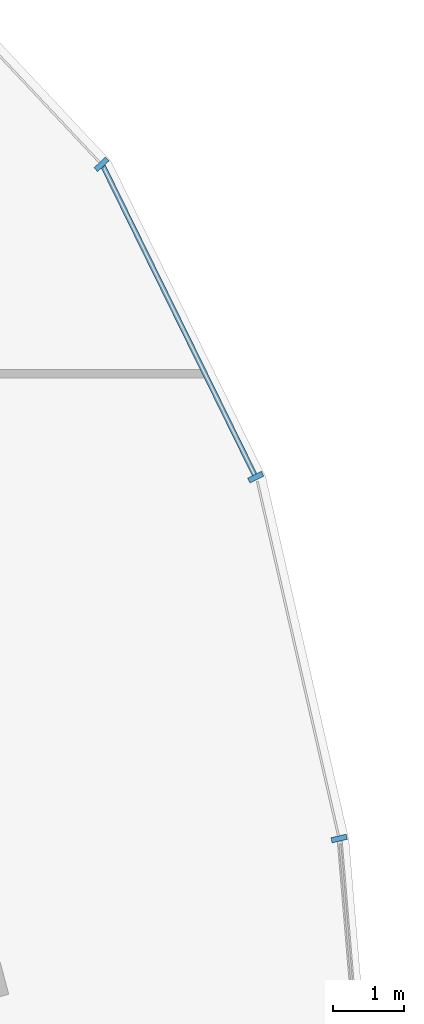
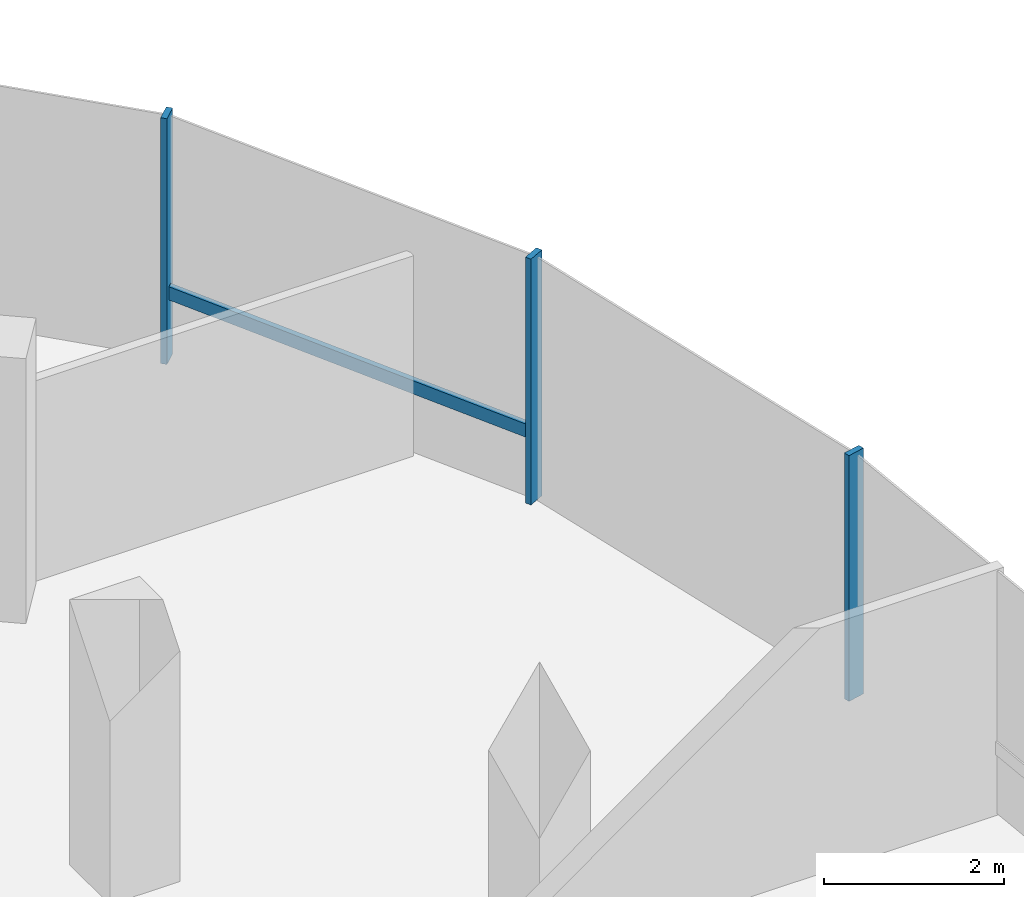
# One storey, part 11 of 26: 4 members, 1 element without a shape of its own.
"""IFC4 building model written with IfcOpenShell, lengths in metres."""

from ifc_helpers import new_model, si_unit, direction, frame, origin, origin_2d, place, context, subcontext, project, spatial, rectangle, extrude, material, material_profile, profile_set, type_object, element, aggregate, save


model = new_model("IFC4")

# Units and contexts
model_context = context("Model", 3, precision=1e-05, world=origin(), true_north=direction((0.0, 1.0)))
body_context = subcontext(model_context, "Body", "Model", "MODEL_VIEW")
ifc_project = project(units=[si_unit("LENGTHUNIT", "METRE"), si_unit("AREAUNIT", "SQUARE_METRE"), si_unit("VOLUMEUNIT", "CUBIC_METRE"), si_unit("PLANEANGLEUNIT", "RADIAN"), si_unit("MASSUNIT", "GRAM", prefix="KILO"), si_unit("THERMODYNAMICTEMPERATUREUNIT", "KELVIN"), si_unit("POWERUNIT", "WATT")], contexts=[model_context])

# Site, building, storey
site_placement = place(None, origin())
site = spatial("IfcSite", under=ifc_project, at=site_placement, CompositionType="ELEMENT")
building_placement = place(site_placement, origin())
building = spatial("IfcBuilding", under=site, at=building_placement, Name="Cundina Bronze Exchange", CompositionType="ELEMENT")
storey_placement = place(building_placement, frame((0.0, 0.0, 264.800048828125)))
storey = spatial("IfcBuildingStorey", under=building, at=storey_placement, Name="L70", CompositionType="ELEMENT", Elevation=264.800048828125)

# Curtain wall, members
ifc_material = material(Name="Anodised Bronze Aluminium 6063-T6", Category="aluminium")
curtain_wall_type = type_object("IfcCurtainWallType", Name="CWS-SKG-BRG", PredefinedType="NOTDEFINED", material=ifc_material)
curtain_wall_placement = place(storey_placement, origin())
curtain_wall = element("IfcCurtainWall", 1, at=curtain_wall_placement, inside=storey, type_object=curtain_wall_type, Name="L70 CW-06 Curtain Wall Run CWR-L70-E1", PredefinedType="NOTDEFINED")
ifc_material_profile_1 = material_profile(ifc_material, rectangle(XDim=0.074951171875, YDim=0.219970703125, at=origin_2d()), Name="AL75X220", Category="aluminium")
ifc_profile_set_1 = profile_set([ifc_material_profile_1], Name="Anodised Bronze Aluminium 6063-T6")
member_type_1 = type_object("IfcMemberType", Name="CWM-MUL-220", PredefinedType="MULLION", material=ifc_profile_set_1)
member_1_placement = place(storey_placement, frame((50.544677734375, 8.4111328125, 0.0), z_axis=(0.0, 0.0, 1.0), x_axis=(-0.223250116011, 0.974761194191, 0.0)))
member_1 = element("IfcMember", 2, at=member_1_placement, type_object=member_type_1, Name="CW-06 Mullion 2", PredefinedType="MULLION", context=body_context, shape_type="SweptSolid", body=[
    extrude(rectangle(XDim=0.074951171875, YDim=0.219970703125, at=origin_2d()), origin(), (0.0, 0.0, 1.0), 3.33984375),
])
member_2_placement = place(storey_placement, frame((49.369140625, 13.50390625, 0.0), z_axis=(0.0, 0.0, 1.0), x_axis=(-0.440566004113, 0.897720221461, 0.0)))
member_2 = element("IfcMember", 3, at=member_2_placement, type_object=member_type_1, Name="CW-06 Mullion 3", PredefinedType="MULLION", context=body_context, shape_type="SweptSolid", body=[
    extrude(rectangle(XDim=0.074951171875, YDim=0.219970703125, at=origin_2d()), origin(), (0.0, 0.0, 1.0), 3.33984375),
])
member_3_placement = place(storey_placement, frame((47.1962890625, 17.910400390625, 0.0), z_axis=(0.0, 0.0, 1.0), x_axis=(-0.684292606175, 0.729207535023, 0.0)))
member_3 = element("IfcMember", 4, at=member_3_placement, type_object=member_type_1, Name="CW-06 Mullion 4", PredefinedType="MULLION", context=body_context, shape_type="SweptSolid", body=[
    extrude(rectangle(XDim=0.074951171875, YDim=0.219970703125, at=origin_2d()), origin(), (0.0, 0.0, 1.0), 3.33984375),
])
ifc_material_profile_2 = material_profile(ifc_material, rectangle(XDim=0.070068359375, YDim=0.179931640625, at=origin_2d()), Name="AL70X180", Category="aluminium")
ifc_profile_set_2 = profile_set([ifc_material_profile_2], Name="Anodised Bronze Aluminium 6063-T6")
member_type_2 = type_object("IfcMemberType", Name="CWM-TRN-180", PredefinedType="USERDEFINED", material=ifc_profile_set_2)
member_4_placement = place(storey_placement, frame((49.35107421875, 13.541015625, 0.919921875), z_axis=(-0.440554408939, 0.897725911826, 0.0), x_axis=(-0.897725911826, -0.440554408939, 0.0)))
member_4 = element("IfcMember", 5, at=member_4_placement, type_object=member_type_2, Name="CW-06 Spandrel Transom 3", ObjectType="TRANSOM", PredefinedType="USERDEFINED", context=body_context, shape_type="SweptSolid", body=[
    extrude(rectangle(XDim=0.070068359375, YDim=0.179931640625, at=origin_2d()), origin(), (0.0, 0.0, 1.0), 4.848388671875),
])
aggregate(curtain_wall, [member_1, member_2, member_4, member_3])

save(model, "model.ifc")
